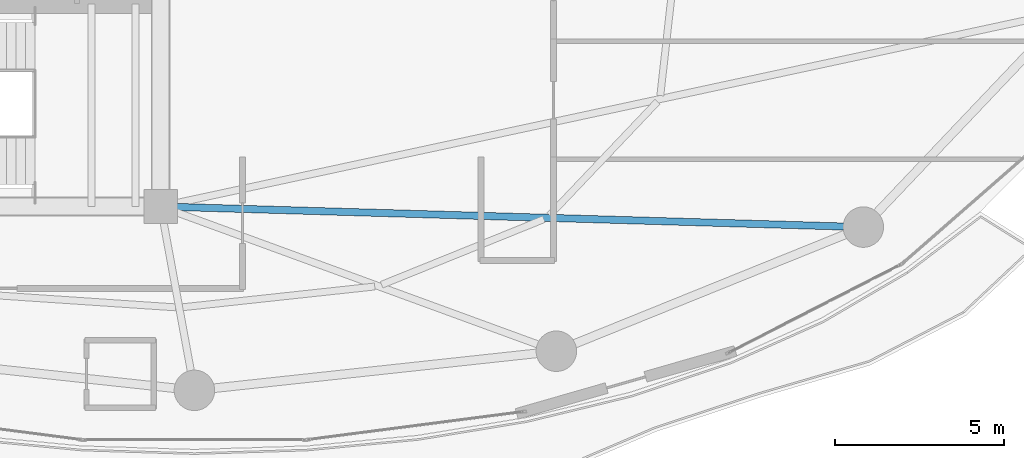
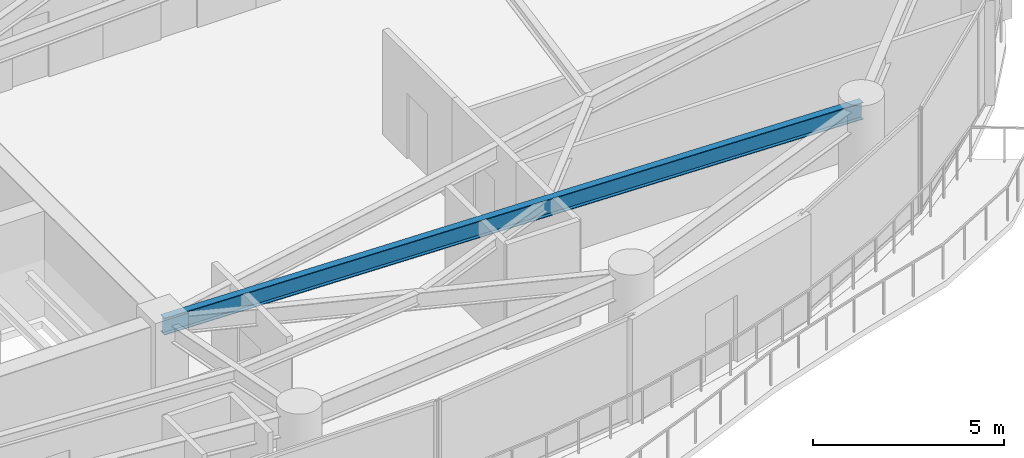
# One storey, part 10 of 28: 1 beam.
"""IFC4 building model written with IfcOpenShell, lengths in metres."""

from ifc_helpers import new_model, si_unit, direction, frame, origin, origin_2d, place, context, subcontext, project, spatial, i_section, extrude, material, material_profile, profile_set, type_object, element, save


model = new_model("IFC4")

# Units and contexts
model_context = context("Model", 3, precision=1e-05, world=origin(), true_north=direction((0.0, 1.0)))
body_context = subcontext(model_context, "Body", "Model", "MODEL_VIEW")
ifc_project = project(units=[si_unit("LENGTHUNIT", "METRE"), si_unit("AREAUNIT", "SQUARE_METRE"), si_unit("VOLUMEUNIT", "CUBIC_METRE"), si_unit("PLANEANGLEUNIT", "RADIAN"), si_unit("MASSUNIT", "GRAM", prefix="KILO")], contexts=[model_context])

# Site, building, storey
site_placement = place(None, origin())
site = spatial("IfcSite", under=ifc_project, at=site_placement, CompositionType="ELEMENT")
building_placement = place(site_placement, origin())
building = spatial("IfcBuilding", under=site, at=building_placement, Name="Kazevale Care Tower and Concert Hall", CompositionType="ELEMENT")
storey_placement = place(building_placement, frame((0.0, 0.0, 109.800048828125)))
storey = spatial("IfcBuildingStorey", under=building, at=storey_placement, Name="L28", CompositionType="ELEMENT", Elevation=109.800048828125)

# Beam
ifc_material = material(Name="Steel ASTM A572 Gr 50", Category="steel")
ifc_material_profile = material_profile(ifc_material, i_section(OverallWidth=0.2119140625, OverallDepth=0.5439453125, WebThickness=0.01318359375, FlangeThickness=0.021240234375, at=origin_2d()), Name="W530x123")
ifc_profile_set = profile_set([ifc_material_profile], Name="Steel ASTM A572 Gr 50")
beam_type = type_object("IfcBeamType", Name="Radial Floor Girder W530x123", PredefinedType="BEAM", material=ifc_profile_set)
beam_placement = place(storey_placement, frame((44.0, 23.60009765625, 3.087890625), z_axis=(0.99957133157, -0.029277177187, 0.0), x_axis=(0.029277177187, 0.99957133157, 0.0)))
element("IfcBeam", 1, at=beam_placement, inside=storey, type_object=beam_type, Name="beam:L28:rad:15", PredefinedType="BEAM", context=body_context, shape_type="SweptSolid", body=[
    extrude(i_section(OverallWidth=0.2119140625, OverallDepth=0.5439453125, WebThickness=0.01318359375, FlangeThickness=0.021240234375, at=origin_2d()), origin(), (0.0, 0.0, 1.0), 20.839111328125),
])

save(model, "model.ifc")
